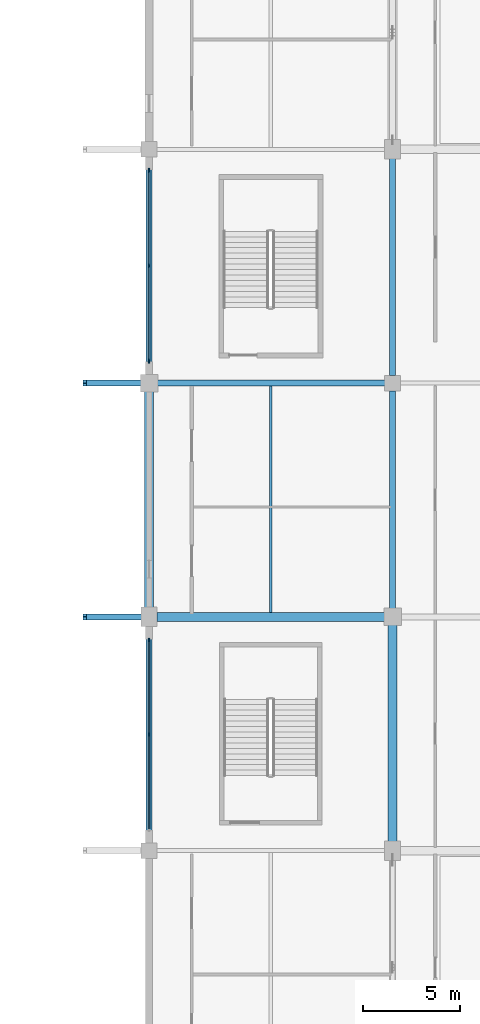
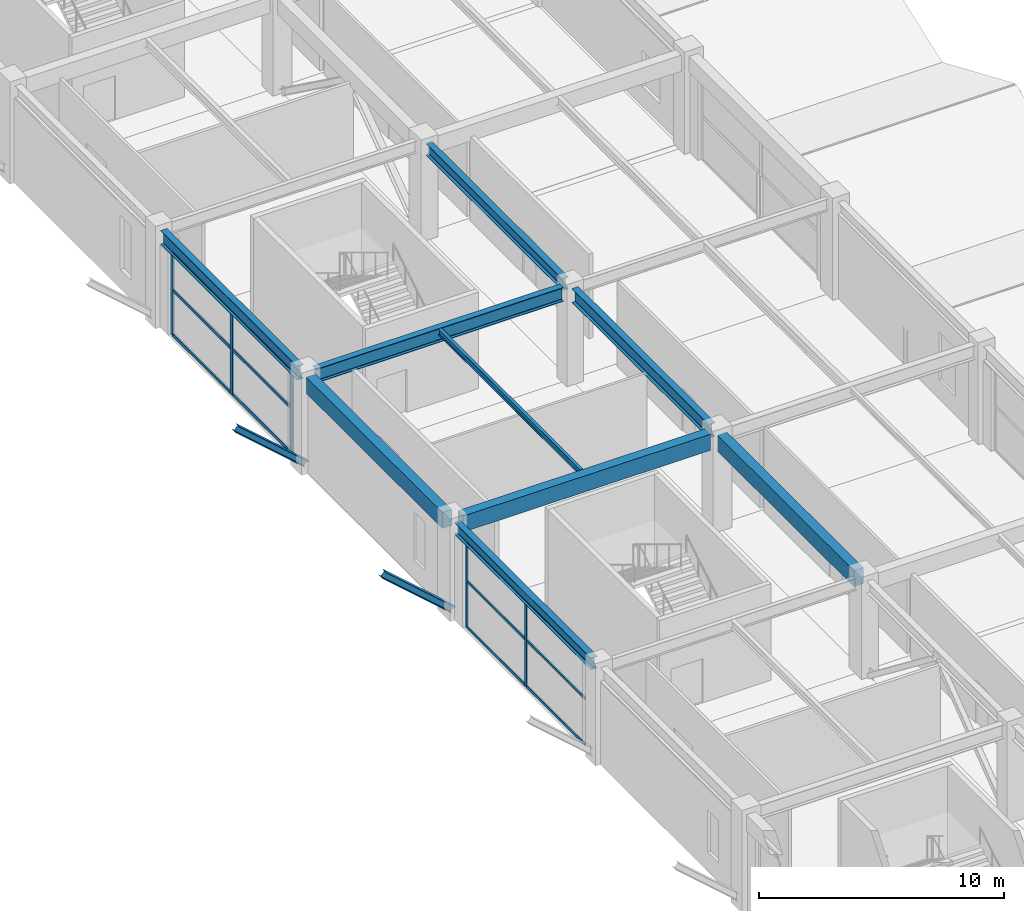
# One storey, part 38 of 116: 19 members, 9 beams, 2 elements without a shape of their own.
"""IFC4 building model written with IfcOpenShell, lengths in metres."""

from ifc_helpers import new_model, si_unit, direction, frame, origin, origin_2d, place, context, subcontext, project, spatial, rectangle, i_section, extrude, material, layer, layer_set, material_profile, profile_set, type_object, element, aggregate, save


model = new_model("IFC4")

# Units and contexts
model_context = context("Model", 3, precision=1e-05, world=origin(), true_north=direction((0.0, 1.0)))
body_context = subcontext(model_context, "Body", "Model", "MODEL_VIEW")
ifc_project = project(units=[si_unit("LENGTHUNIT", "METRE"), si_unit("AREAUNIT", "SQUARE_METRE"), si_unit("VOLUMEUNIT", "CUBIC_METRE"), si_unit("PLANEANGLEUNIT", "RADIAN"), si_unit("MASSUNIT", "GRAM", prefix="KILO")], contexts=[model_context])

# Site, building, storey
site_placement = place(None, origin())
site = spatial("IfcSite", under=ifc_project, at=site_placement, CompositionType="ELEMENT")
building_placement = place(site_placement, origin())
building = spatial("IfcBuilding", under=site, at=building_placement, Name="Kazenohara Klinker Stadium", CompositionType="ELEMENT")
storey_placement = place(building_placement, frame((0.0, 0.0, 10.199951171875)))
storey = spatial("IfcBuildingStorey", under=building, at=storey_placement, Name="L02", CompositionType="ELEMENT", Elevation=10.199951171875)

# Beams
ifc_material_1 = material(Name="Steel S355", Category="steel")
ifc_material_profile_1 = material_profile(ifc_material_1, i_section(OverallWidth=0.14990234375, OverallDepth=0.300048828125, WebThickness=0.006591796875, FlangeThickness=0.009033203125, FilletRadius=0.012939453125, at=origin_2d()), Name="H-300x150x6.5x9")
ifc_profile_set_1 = profile_set([ifc_material_profile_1], Name="Steel S355")
beam_type_1 = type_object("IfcBeamType", Name="BM-JST05", PredefinedType="JOIST", material=ifc_profile_set_1)
beam_1_placement = place(storey_placement, frame((181.25, 84.22509765625, 4.670166015625), z_axis=(0.0, 1.0, 0.0), x_axis=(-1.0, 0.0, 0.0)))
element("IfcBeam", 1, at=beam_1_placement, inside=storey, type_object=beam_type_1, Name="Secondary floor joist SJ05 L02 15/H", PredefinedType="JOIST", context=body_context, shape_type="SweptSolid", body=[
    extrude(i_section(OverallWidth=0.14990234375, OverallDepth=0.300048828125, WebThickness=0.006591796875, FlangeThickness=0.009033203125, FilletRadius=0.012939453125, at=origin_2d()), origin(), (0.0, 0.0, 1.0), 11.625),
])
ifc_material_2 = material(Name="Concrete C40/50", Category="concrete")
ifc_material_profile_2 = material_profile(ifc_material_2, rectangle(XDim=0.449951171875, YDim=0.800048828125, at=origin_2d()), Name="RC-BM-450x800")
ifc_profile_set_2 = profile_set([ifc_material_profile_2], Name="Concrete C40/50")
beam_type_2 = type_object("IfcBeamType", Name="BM-RC03", PredefinedType="BEAM", material=ifc_profile_set_2)
beam_2_placement = place(storey_placement, frame((175.39990234375, 84.0, 4.420166015625), z_axis=(1.0, 0.0, 0.0), x_axis=(0.0, 1.0, 0.0)))
element("IfcBeam", 2, at=beam_2_placement, inside=storey, type_object=beam_type_2, Name="Primary girder BG03 L02 15-16/H", PredefinedType="BEAM", context=body_context, shape_type="SweptSolid", body=[
    extrude(rectangle(XDim=0.449951171875, YDim=0.800048828125, at=origin_2d()), origin(), (0.0, 0.0, 1.0), 11.68017578125),
])
for number, where, z_axis, x_axis, name in (
    (3, (175.0, 84.419921875, 4.420166015625), (0.0, 1.0, 0.0), (-1.0, 0.0, 0.0), "Primary girder BG03 L02 15/H-J"),
    (4, (187.5, 72.419921875, 4.420166015625), (0.0, 1.0, 0.0), (-1.0, 0.0, 0.0), "Primary girder BG03 L02 16/G-H"),
):
    element("IfcBeam", number, at=place(storey_placement, frame(where, z_axis=z_axis, x_axis=x_axis)), inside=storey, type_object=beam_type_2, Name=name, PredefinedType="BEAM", context=body_context, shape_type="SweptSolid", body=[
        extrude(rectangle(XDim=0.449951171875, YDim=0.800048828125, at=origin_2d()), origin(), (0.0, 0.0, 1.0), 11.16015625),
    ])
ifc_material_profile_3 = material_profile(ifc_material_1, i_section(OverallWidth=0.300048828125, OverallDepth=0.699951171875, WebThickness=0.012939453125, FlangeThickness=0.02392578125, FilletRadius=0.02197265625, at=origin_2d()), Name="H-700x300x13x24")
ifc_profile_set_3 = profile_set([ifc_material_profile_3], Name="Steel S355")
beam_type_3 = type_object("IfcBeamType", Name="BM-ST03", PredefinedType="BEAM", material=ifc_profile_set_3)
beam_3_placement = place(storey_placement, frame((175.419921875, 96.0, 4.469970703125), z_axis=(1.0, 0.0, 0.0), x_axis=(0.0, 1.0, 0.0)))
element("IfcBeam", 5, at=beam_3_placement, inside=storey, type_object=beam_type_3, Name="Primary girder SB03 L02 15-16/J", PredefinedType="BEAM", context=body_context, shape_type="SweptSolid", body=[
    extrude(i_section(OverallWidth=0.300048828125, OverallDepth=0.699951171875, WebThickness=0.012939453125, FlangeThickness=0.02392578125, FilletRadius=0.02197265625, at=origin_2d()), origin(), (0.0, 0.0, 1.0), 11.68017578125),
])
for number, where, z_axis, x_axis, name in (
    (6, (175.0, 96.419921875, 4.469970703125), (0.0, 1.0, 0.0), (-1.0, 0.0, 0.0), "Primary girder SB03 L02 15/J-K"),
    (7, (187.5, 84.419921875, 4.469970703125), (0.0, 1.0, 0.0), (-1.0, 0.0, 0.0), "Primary girder SB03 L02 16/H-J"),
):
    element("IfcBeam", number, at=place(storey_placement, frame(where, z_axis=z_axis, x_axis=x_axis)), inside=storey, type_object=beam_type_3, Name=name, PredefinedType="BEAM", context=body_context, shape_type="SweptSolid", body=[
        extrude(i_section(OverallWidth=0.300048828125, OverallDepth=0.699951171875, WebThickness=0.012939453125, FlangeThickness=0.02392578125, FilletRadius=0.02197265625, at=origin_2d()), origin(), (0.0, 0.0, 1.0), 11.18017578125),
    ])
ifc_material_profile_4 = material_profile(ifc_material_1, i_section(OverallWidth=0.300048828125, OverallDepth=0.587890625, WebThickness=0.011962890625, FlangeThickness=0.02001953125, FilletRadius=0.02197265625, at=origin_2d()), Name="H-588x300x12x20")
ifc_profile_set_4 = profile_set([ifc_material_profile_4], Name="Steel S355")
beam_type_4 = type_object("IfcBeamType", Name="BM-ST05", PredefinedType="BEAM", material=ifc_profile_set_4)
for number, where, z_axis, x_axis, name in (
    (8, (175.0, 72.39990234375, 4.526123046875), (0.0, 1.0, 0.0), (-1.0, 0.0, 0.0), "Primary girder SB05 L02 15/G-H"),
    (9, (187.5, 96.39990234375, 4.526123046875), (0.0, 1.0, 0.0), (-1.0, 0.0, 0.0), "Primary girder SB05 L02 16/J-K"),
):
    element("IfcBeam", number, at=place(storey_placement, frame(where, z_axis=z_axis, x_axis=x_axis)), inside=storey, type_object=beam_type_4, Name=name, PredefinedType="BEAM", context=body_context, shape_type="SweptSolid", body=[
        extrude(i_section(OverallWidth=0.300048828125, OverallDepth=0.587890625, WebThickness=0.011962890625, FlangeThickness=0.02001953125, FilletRadius=0.02197265625, at=origin_2d()), origin(), (0.0, 0.0, 1.0), 11.18017578125),
    ])

# Curtain wall, members
ifc_material_3 = material(Name="Anodised aluminium and triple glazing", Category="aluminium")
ifc_layer_1 = layer(ifc_material_3, 0.18994140625)
ifc_layer_set_1 = layer_set([ifc_layer_1], Name="Anodised aluminium and triple glazing")
curtain_wall_type_1 = type_object("IfcCurtainWallType", Name="CW-SYS-05", PredefinedType="USERDEFINED", material=ifc_layer_set_1)
curtain_wall_1_placement = place(storey_placement, origin())
curtain_wall_1 = element("IfcCurtainWall", 10, at=curtain_wall_1_placement, inside=storey, type_object=curtain_wall_type_1, Name="Unitised facade curtain wall CW05 L02 Y14-6", ObjectType="UNITISED CURTAIN WALL", PredefinedType="USERDEFINED")
ifc_material_4 = material(Name="Anodised aluminium 6063-T6", Category="aluminium")
ifc_material_profile_5 = material_profile(ifc_material_4, rectangle(XDim=0.06494140625, YDim=0.179931640625, at=origin_2d()), Name="ALU-MUL-65x180")
ifc_profile_set_5 = profile_set([ifc_material_profile_5], Name="Anodised aluminium 6063-T6")
member_type_1 = type_object("IfcMemberType", Name="CW-MUL-180", PredefinedType="MULLION", material=ifc_profile_set_5)
member_1_placement = place(storey_placement, frame((175.0, 77.949951171875, 0.0), z_axis=(0.0, 0.0, 1.0), x_axis=(-1.0, 0.0, 0.0)))
member_1 = element("IfcMember", 11, at=member_1_placement, type_object=member_type_1, Name="CW05 mullion 2", PredefinedType="MULLION", context=body_context, shape_type="SweptSolid", body=[
    extrude(rectangle(XDim=0.06494140625, YDim=0.179931640625, at=origin_2d()), origin(), (0.0, 0.0, 1.0), 4.23193359375),
])
member_2_placement = place(storey_placement, frame((175.0, 82.8134765625, 0.0), z_axis=(0.0, 0.0, 1.0), x_axis=(-1.0, 0.0, 0.0)))
member_2 = element("IfcMember", 12, at=member_2_placement, type_object=member_type_1, Name="CW05 mullion 3", PredefinedType="MULLION", context=body_context, shape_type="SweptSolid", body=[
    extrude(rectangle(XDim=0.06494140625, YDim=0.179931640625, at=origin_2d()), origin(), (0.0, 0.0, 1.0), 4.23193359375),
])

ifc_layer_2 = layer(ifc_material_3, 0.159912109375)
ifc_layer_set_2 = layer_set([ifc_layer_2], Name="Anodised aluminium and triple glazing")
curtain_wall_type_2 = type_object("IfcCurtainWallType", Name="CW-SYS-01", PredefinedType="USERDEFINED", material=ifc_layer_set_2)
curtain_wall_2_placement = place(storey_placement, origin())
curtain_wall_2 = element("IfcCurtainWall", 13, at=curtain_wall_2_placement, inside=storey, type_object=curtain_wall_type_2, Name="Unitised facade curtain wall CW01 L02 Y14-8", ObjectType="UNITISED CURTAIN WALL", PredefinedType="USERDEFINED")
ifc_material_profile_6 = material_profile(ifc_material_4, rectangle(XDim=0.074951171875, YDim=0.219970703125, at=origin_2d()), Name="ALU-MUL-75x220")
ifc_profile_set_6 = profile_set([ifc_material_profile_6], Name="Anodised aluminium 6063-T6")
member_type_2 = type_object("IfcMemberType", Name="CW-MUL-220", PredefinedType="MULLION", material=ifc_profile_set_6)
member_3_placement = place(storey_placement, frame((175.0, 97.1416015625, 0.0), z_axis=(0.0, 0.0, 1.0), x_axis=(-1.0, 0.0, 0.0)))
member_3 = element("IfcMember", 14, at=member_3_placement, type_object=member_type_2, Name="CW01 mullion 1", PredefinedType="MULLION", context=body_context, shape_type="SweptSolid", body=[
    extrude(rectangle(XDim=0.074951171875, YDim=0.219970703125, at=origin_2d()), origin(), (0.0, 0.0, 1.0), 4.1201171875),
])
member_4_placement = place(storey_placement, frame((175.0, 102.02490234375, 0.0), z_axis=(0.0, 0.0, 1.0), x_axis=(-1.0, 0.0, 0.0)))
member_4 = element("IfcMember", 15, at=member_4_placement, type_object=member_type_2, Name="CW01 mullion 2", PredefinedType="MULLION", context=body_context, shape_type="SweptSolid", body=[
    extrude(rectangle(XDim=0.074951171875, YDim=0.219970703125, at=origin_2d()), origin(), (0.0, 0.0, 1.0), 4.1201171875),
])
member_5_placement = place(storey_placement, frame((175.0, 106.908447265625, 0.0), z_axis=(0.0, 0.0, 1.0), x_axis=(-1.0, 0.0, 0.0)))
member_5 = element("IfcMember", 16, at=member_5_placement, type_object=member_type_2, Name="CW01 mullion 3", PredefinedType="MULLION", context=body_context, shape_type="SweptSolid", body=[
    extrude(rectangle(XDim=0.074951171875, YDim=0.219970703125, at=origin_2d()), origin(), (0.0, 0.0, 1.0), 4.1201171875),
])

# Member
ifc_material_profile_7 = material_profile(ifc_material_4, rectangle(XDim=0.06494140625, YDim=0.139892578125, at=origin_2d()), Name="ALU-TRN-65x140")
ifc_profile_set_7 = profile_set([ifc_material_profile_7], Name="Anodised aluminium 6063-T6")
member_type_3 = type_object("IfcMemberType", Name="CW-TRN-140", PredefinedType="USERDEFINED", material=ifc_profile_set_7)
member_6_placement = place(storey_placement, frame((175.0, 73.118896484375, 0.032470703125), z_axis=(0.0, 1.0, 0.0), x_axis=(-1.0, 0.0, 0.0)))
member_6 = element("IfcMember", 17, at=member_6_placement, type_object=member_type_3, Name="CW05 transom 1.1", ObjectType="TRANSOM", PredefinedType="USERDEFINED", context=body_context, shape_type="SweptSolid", body=[
    extrude(rectangle(XDim=0.06494140625, YDim=0.139892578125, at=origin_2d()), origin(), (0.0, 0.0, 1.0), 4.798583984375),
])

member_7_placement = place(storey_placement, frame((175.0, 73.118896484375, 2.32763671875), z_axis=(0.0, 1.0, 0.0), x_axis=(-1.0, 0.0, 0.0)))
member_7 = element("IfcMember", 18, at=member_7_placement, type_object=member_type_3, Name="CW05 transom 1.2", ObjectType="TRANSOM", PredefinedType="USERDEFINED", context=body_context, shape_type="SweptSolid", body=[
    extrude(rectangle(XDim=0.06494140625, YDim=0.139892578125, at=origin_2d()), origin(), (0.0, 0.0, 1.0), 4.798583984375),
])

member_8_placement = place(storey_placement, frame((175.0, 73.118896484375, 4.199462890625), z_axis=(0.0, 1.0, 0.0), x_axis=(-1.0, 0.0, 0.0)))
member_8 = element("IfcMember", 19, at=member_8_placement, type_object=member_type_3, Name="CW05 transom 1.3", ObjectType="TRANSOM", PredefinedType="USERDEFINED", context=body_context, shape_type="SweptSolid", body=[
    extrude(rectangle(XDim=0.06494140625, YDim=0.139892578125, at=origin_2d()), origin(), (0.0, 0.0, 1.0), 4.798583984375),
])

member_9_placement = place(storey_placement, frame((175.0, 77.982421875, 0.032470703125), z_axis=(0.0, 1.0, 0.0), x_axis=(-1.0, 0.0, 0.0)))
member_9 = element("IfcMember", 20, at=member_9_placement, type_object=member_type_3, Name="CW05 transom 2.1", ObjectType="TRANSOM", PredefinedType="USERDEFINED", context=body_context, shape_type="SweptSolid", body=[
    extrude(rectangle(XDim=0.06494140625, YDim=0.139892578125, at=origin_2d()), origin(), (0.0, 0.0, 1.0), 4.798583984375),
])

member_10_placement = place(storey_placement, frame((175.0, 77.982421875, 2.32763671875), z_axis=(0.0, 1.0, 0.0), x_axis=(-1.0, 0.0, 0.0)))
member_10 = element("IfcMember", 21, at=member_10_placement, type_object=member_type_3, Name="CW05 transom 2.2", ObjectType="TRANSOM", PredefinedType="USERDEFINED", context=body_context, shape_type="SweptSolid", body=[
    extrude(rectangle(XDim=0.06494140625, YDim=0.139892578125, at=origin_2d()), origin(), (0.0, 0.0, 1.0), 4.798583984375),
])

member_11_placement = place(storey_placement, frame((175.0, 77.982421875, 4.199462890625), z_axis=(0.0, 1.0, 0.0), x_axis=(-1.0, 0.0, 0.0)))
member_11 = element("IfcMember", 22, at=member_11_placement, type_object=member_type_3, Name="CW05 transom 2.3", ObjectType="TRANSOM", PredefinedType="USERDEFINED", context=body_context, shape_type="SweptSolid", body=[
    extrude(rectangle(XDim=0.06494140625, YDim=0.139892578125, at=origin_2d()), origin(), (0.0, 0.0, 1.0), 4.798583984375),
])

aggregate(curtain_wall_1, [member_1, member_2, member_6, member_7, member_8, member_9, member_10, member_11])

ifc_material_profile_8 = material_profile(ifc_material_4, rectangle(XDim=0.074951171875, YDim=0.159912109375, at=origin_2d()), Name="ALU-TRN-75x160")
ifc_profile_set_8 = profile_set([ifc_material_profile_8], Name="Anodised aluminium 6063-T6")
member_type_4 = type_object("IfcMemberType", Name="CW-TRN-160", PredefinedType="USERDEFINED", material=ifc_profile_set_8)
member_12_placement = place(storey_placement, frame((175.0, 97.178955078125, 0.03759765625), z_axis=(0.0, 1.0, 0.0), x_axis=(-1.0, 0.0, 0.0)))
member_12 = element("IfcMember", 23, at=member_12_placement, type_object=member_type_4, Name="CW01 transom 1.1", ObjectType="TRANSOM", PredefinedType="USERDEFINED", context=body_context, shape_type="SweptSolid", body=[
    extrude(rectangle(XDim=0.074951171875, YDim=0.159912109375, at=origin_2d()), origin(), (0.0, 0.0, 1.0), 4.80859375),
])

member_13_placement = place(storey_placement, frame((175.0, 97.178955078125, 2.26611328125), z_axis=(0.0, 1.0, 0.0), x_axis=(-1.0, 0.0, 0.0)))
member_13 = element("IfcMember", 24, at=member_13_placement, type_object=member_type_4, Name="CW01 transom 1.2", ObjectType="TRANSOM", PredefinedType="USERDEFINED", context=body_context, shape_type="SweptSolid", body=[
    extrude(rectangle(XDim=0.074951171875, YDim=0.159912109375, at=origin_2d()), origin(), (0.0, 0.0, 1.0), 4.80859375),
])

member_14_placement = place(storey_placement, frame((175.0, 97.178955078125, 4.08251953125), z_axis=(0.0, 1.0, 0.0), x_axis=(-1.0, 0.0, 0.0)))
member_14 = element("IfcMember", 25, at=member_14_placement, type_object=member_type_4, Name="CW01 transom 1.3", ObjectType="TRANSOM", PredefinedType="USERDEFINED", context=body_context, shape_type="SweptSolid", body=[
    extrude(rectangle(XDim=0.074951171875, YDim=0.159912109375, at=origin_2d()), origin(), (0.0, 0.0, 1.0), 4.80859375),
])

member_15_placement = place(storey_placement, frame((175.0, 102.0625, 0.03759765625), z_axis=(0.0, 1.0, 0.0), x_axis=(-1.0, 0.0, 0.0)))
member_15 = element("IfcMember", 26, at=member_15_placement, type_object=member_type_4, Name="CW01 transom 2.1", ObjectType="TRANSOM", PredefinedType="USERDEFINED", context=body_context, shape_type="SweptSolid", body=[
    extrude(rectangle(XDim=0.074951171875, YDim=0.159912109375, at=origin_2d()), origin(), (0.0, 0.0, 1.0), 4.80859375),
])

member_16_placement = place(storey_placement, frame((175.0, 102.0625, 2.26611328125), z_axis=(0.0, 1.0, 0.0), x_axis=(-1.0, 0.0, 0.0)))
member_16 = element("IfcMember", 27, at=member_16_placement, type_object=member_type_4, Name="CW01 transom 2.2", ObjectType="TRANSOM", PredefinedType="USERDEFINED", context=body_context, shape_type="SweptSolid", body=[
    extrude(rectangle(XDim=0.074951171875, YDim=0.159912109375, at=origin_2d()), origin(), (0.0, 0.0, 1.0), 4.80859375),
])

member_17_placement = place(storey_placement, frame((175.0, 102.0625, 4.08251953125), z_axis=(0.0, 1.0, 0.0), x_axis=(-1.0, 0.0, 0.0)))
member_17 = element("IfcMember", 28, at=member_17_placement, type_object=member_type_4, Name="CW01 transom 2.3", ObjectType="TRANSOM", PredefinedType="USERDEFINED", context=body_context, shape_type="SweptSolid", body=[
    extrude(rectangle(XDim=0.074951171875, YDim=0.159912109375, at=origin_2d()), origin(), (0.0, 0.0, 1.0), 4.80859375),
])

aggregate(curtain_wall_2, [member_3, member_4, member_5, member_12, member_13, member_14, member_15, member_16, member_17])

# Members
ifc_material_profile_9 = material_profile(ifc_material_1, i_section(OverallWidth=0.300048828125, OverallDepth=0.300048828125, WebThickness=0.010009765625, FlangeThickness=0.014892578125, FilletRadius=0.012939453125, at=origin_2d()), Name="H-300x300x10x15")
ifc_profile_set_9 = profile_set([ifc_material_profile_9], Name="Steel S355")
member_type_5 = type_object("IfcMemberType", Name="MEM-BRC01", PredefinedType="BRACE", material=ifc_profile_set_9)
for number, where, z_axis, x_axis, name in (
    (29, (175.0, 84.0, 0.199951171875), (-0.750987889423, 0.0, 0.660315977347), (0.0, -1.0, 0.0), "Upper bowl raking bracket strut BR01 East H"),
    (30, (175.0, 96.0, 0.199951171875), (-0.750987889423, 0.0, 0.660315977347), (0.0, -1.0, 0.0), "Upper bowl raking bracket strut BR01 East J"),
):
    element("IfcMember", number, at=place(storey_placement, frame(where, z_axis=z_axis, x_axis=x_axis)), inside=storey, type_object=member_type_5, Name=name, PredefinedType="BRACE", context=body_context, shape_type="SweptSolid", body=[
        extrude(i_section(OverallWidth=0.300048828125, OverallDepth=0.300048828125, WebThickness=0.010009765625, FlangeThickness=0.014892578125, FilletRadius=0.012939453125, at=origin_2d()), origin(), (0.0, 0.0, 1.0), 4.394287109375),
    ])

save(model, "model.ifc")
